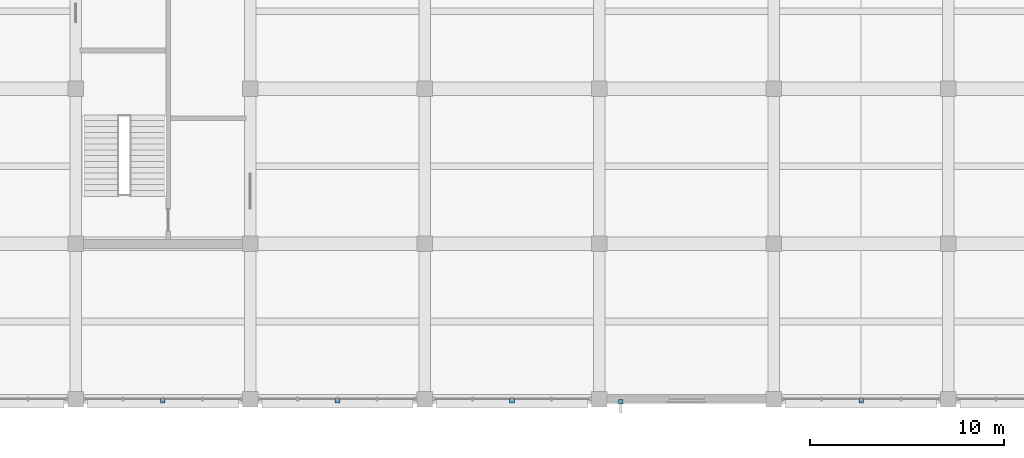
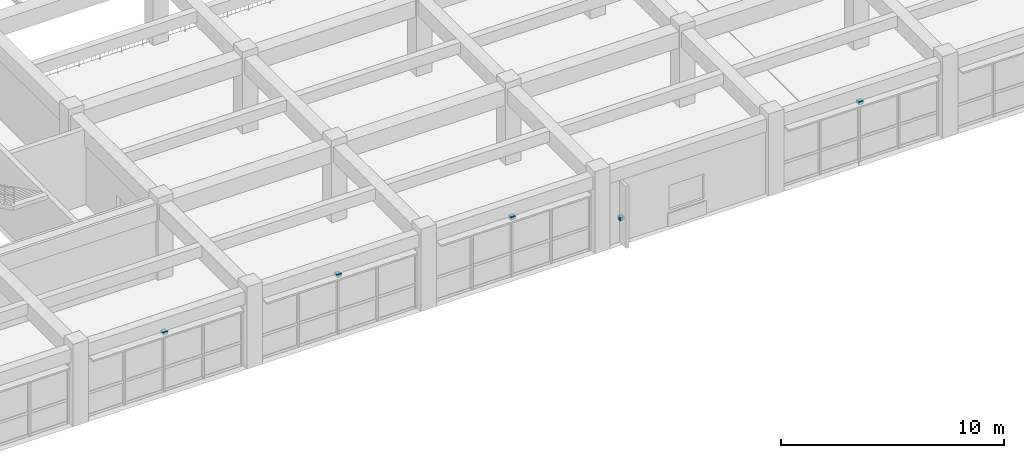
# One storey, part 37 of 50: 5 discrete accessories.
"""IFC4 building model written with IfcOpenShell, lengths in metres."""

from ifc_helpers import new_model, si_unit, direction, frame, origin, origin_2d, place, context, subcontext, project, spatial, rectangle, extrude, material, layer, layer_set, type_object, element, save


model = new_model("IFC4")

# Units and contexts
model_context = context("Model", 3, precision=1e-05, world=origin(), true_north=direction((0.0, 1.0)))
body_context = subcontext(model_context, "Body", "Model", "MODEL_VIEW")
ifc_project = project(units=[si_unit("LENGTHUNIT", "METRE"), si_unit("AREAUNIT", "SQUARE_METRE"), si_unit("VOLUMEUNIT", "CUBIC_METRE"), si_unit("PLANEANGLEUNIT", "RADIAN"), si_unit("MASSUNIT", "GRAM", prefix="KILO")], contexts=[model_context])

# Site, building, storey
site_placement = place(None, origin())
site = spatial("IfcSite", under=ifc_project, at=site_placement, CompositionType="ELEMENT")
building_placement = place(site_placement, origin())
building = spatial("IfcBuilding", under=site, at=building_placement, Name="Zaverband Oceanarium and Marine Research Institute", CompositionType="ELEMENT")
storey_placement = place(building_placement, frame((0.0, 0.0, 9.0)))
storey = spatial("IfcBuildingStorey", under=building, at=storey_placement, Name="L02", CompositionType="ELEMENT", Elevation=9.0)

# Discrete accessories
ifc_material = material(Name="Steel S355", Category="steel")
ifc_layer = layer(ifc_material, 0.179931640625, Name="Steel S355")
ifc_layer_set = layer_set([ifc_layer], Name="Steel S355")
discrete_accessory_type = type_object("IfcDiscreteAccessoryType", Name="BRK-STL-200", PredefinedType="BRACKET", material=ifc_layer_set)
for number, where, z_axis, x_axis, name in (
    (1, (85.5, -0.080078125, 3.18994140625), (0.0, 0.0, 1.0), (1.0, 0.0, 0.0), "Galvanized steel facade fin structural bracket BRK-STL-200"),
    (2, (94.5, -0.080078125, 3.18994140625), (0.0, 0.0, 1.0), (1.0, 0.0, 0.0), "Galvanized steel facade fin structural bracket BRK-STL-200"),
    (3, (103.5, -0.080078125, 3.18994140625), (0.0, 0.0, 1.0), (1.0, 0.0, 0.0), "Galvanized steel facade fin structural bracket BRK-STL-200"),
    (4, (109.10498046875, -0.14501953125, 1.22021484375), (0.0, 0.0, 1.0), (1.0, 0.0, 0.0), "Galvanized steel facade fin structural bracket BRK-STL-200"),
    (5, (121.5, -0.080078125, 3.18994140625), (0.0, 0.0, 1.0), (1.0, 0.0, 0.0), "Galvanized steel facade fin structural bracket BRK-STL-200"),
):
    element("IfcDiscreteAccessory", number, at=place(storey_placement, frame(where, z_axis=z_axis, x_axis=x_axis)), inside=storey, type_object=discrete_accessory_type, Name=name, PredefinedType="BRACKET", context=body_context, shape_type="SweptSolid", body=[
        extrude(rectangle(XDim=0.239990234375, YDim=0.239990234375, at=origin_2d()), origin(), (0.0, 0.0, 1.0), 0.179931640625),
    ])

save(model, "model.ifc")
